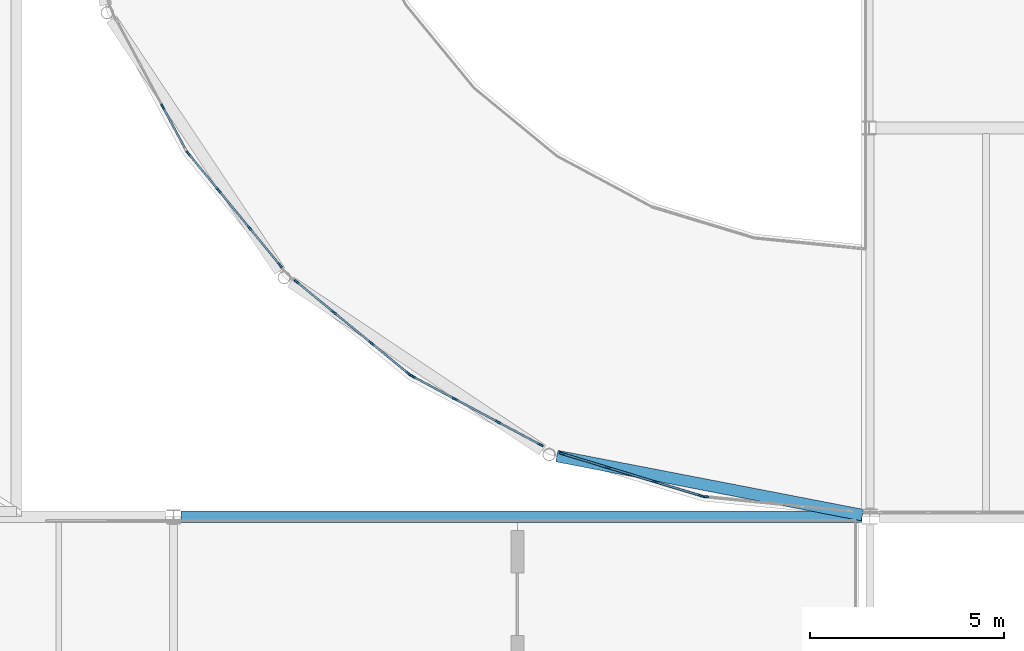
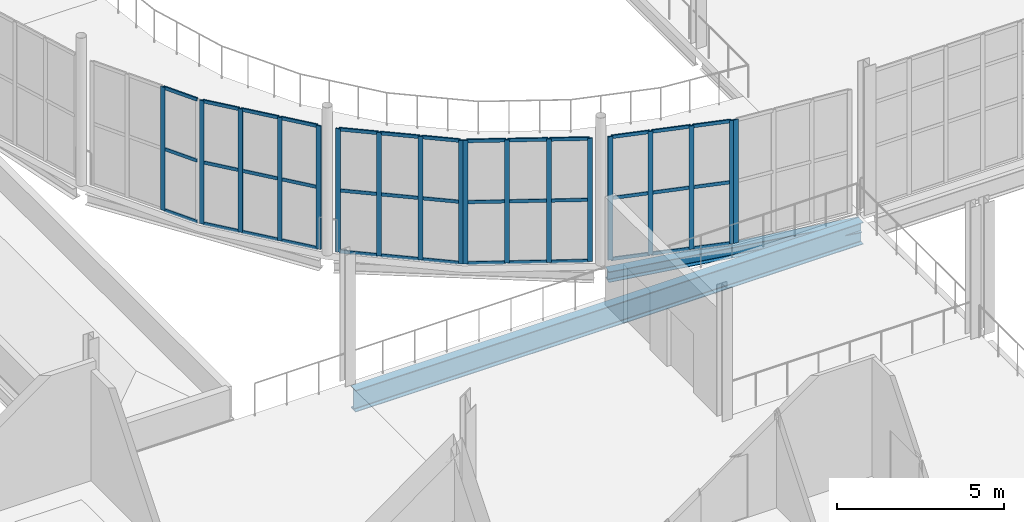
# One storey, part 25 of 112: 57 members, 2 beams, 6 elements without a shape of their own.
"""IFC4 building model written with IfcOpenShell, lengths in metres."""

from ifc_helpers import new_model, si_unit, direction, frame, origin, origin_2d, place, context, subcontext, project, spatial, rectangle, i_section, extrude, material, layer, layer_set, material_profile, profile_set, type_object, element, aggregate, save


model = new_model("IFC4")

# Units and contexts
model_context = context("Model", 3, precision=1e-05, world=origin(), true_north=direction((0.0, 1.0)))
body_context = subcontext(model_context, "Body", "Model", "MODEL_VIEW")
ifc_project = project(units=[si_unit("LENGTHUNIT", "METRE"), si_unit("AREAUNIT", "SQUARE_METRE"), si_unit("VOLUMEUNIT", "CUBIC_METRE"), si_unit("PLANEANGLEUNIT", "RADIAN"), si_unit("MASSUNIT", "GRAM", prefix="KILO")], contexts=[model_context])

# Site, building, storey
site_placement = place(None, origin())
site = spatial("IfcSite", under=ifc_project, at=site_placement, CompositionType="ELEMENT")
building_placement = place(site_placement, origin())
building = spatial("IfcBuilding", under=site, at=building_placement, Name="Yeouljin Market Hall", CompositionType="ELEMENT")
storey_placement = place(building_placement, frame((0.0, 0.0, 6.0)))
storey = spatial("IfcBuildingStorey", under=building, at=storey_placement, Name="L01", CompositionType="ELEMENT", Elevation=6.0)

# Beam
ifc_material_1 = material(Name="Steel SM355", Category="steel")
ifc_material_profile_1 = material_profile(ifc_material_1, i_section(OverallWidth=0.300048828125, OverallDepth=0.389892578125, WebThickness=0.010009765625, FlangeThickness=0.01611328125, FilletRadius=0.01806640625, at=origin_2d()), Name="H-390x300x10x16")
ifc_profile_set_1 = profile_set([ifc_material_profile_1], Name="Steel SM355")
beam_type_1 = type_object("IfcBeamType", Name="Beam_H-390x300x10x16", PredefinedType="BEAM", material=ifc_profile_set_1)
beam_1_placement = place(storey_placement, frame((35.419189453125, 36.042724609375, -0.465087890625), z_axis=(-0.981854876369, 0.189633862352, 0.0), x_axis=(-0.189633862352, -0.981854876369, 0.0)))
element("IfcBeam", 1, at=beam_1_placement, inside=storey, type_object=beam_type_1, Name="Apse ring beam L01 242", PredefinedType="BEAM", context=body_context, shape_type="SweptSolid", body=[
    extrude(i_section(OverallWidth=0.300048828125, OverallDepth=0.389892578125, WebThickness=0.010009765625, FlangeThickness=0.01611328125, FilletRadius=0.01806640625, at=origin_2d()), origin(), (0.0, 0.0, 1.0), 8.00146484375),
])

# Curtain wall, member
ifc_material_2 = material(Name="Thermally Broken Aluminium", Category="aluminium")
ifc_layer = layer(ifc_material_2, 0.179931640625)
ifc_layer_set = layer_set([ifc_layer], Name="Thermally Broken Aluminium")
curtain_wall_type = type_object("IfcCurtainWallType", Name="CW_ApseCurved_System", PredefinedType="USERDEFINED", material=ifc_layer_set)
curtain_wall_1_placement = place(storey_placement, origin())
curtain_wall_1 = element("IfcCurtainWall", 2, at=curtain_wall_1_placement, inside=storey, type_object=curtain_wall_type, Name="Curtain wall CW-AP-WL01-01", ObjectType="CURTAIN WALL", PredefinedType="USERDEFINED")
ifc_material_3 = material(Name="Thermally Broken Aluminium", Category="aluminium")
ifc_material_profile_2 = material_profile(ifc_material_3, rectangle(XDim=0.048095703125, YDim=0.14990234375, at=origin_2d()), Name="CW-MULL-48x150")
ifc_profile_set_2 = profile_set([ifc_material_profile_2], Name="Thermally Broken Aluminium")
member_type_1 = type_object("IfcMemberType", Name="CWMullion_48x150", PredefinedType="MULLION", material=ifc_profile_set_2)
member_1_placement = place(storey_placement, frame((31.39013671875, 36.514892578125, 0.0), z_axis=(0.0, 0.0, 1.0), x_axis=(-0.09803414403, -0.995183051807, 0.0)))
member_1 = element("IfcMember", 3, at=member_1_placement, type_object=member_type_1, Name="CW-03 mullion 4", PredefinedType="MULLION", context=body_context, shape_type="SweptSolid", body=[
    extrude(rectangle(XDim=0.048095703125, YDim=0.14990234375, at=origin_2d()), origin(), (0.0, 0.0, 1.0), 4.5),
])
aggregate(curtain_wall_1, [member_1])

# Curtain wall, members
curtain_wall_2_placement = place(storey_placement, origin())
curtain_wall_2 = element("IfcCurtainWall", 4, at=curtain_wall_2_placement, inside=storey, type_object=curtain_wall_type, Name="Curtain wall CW-AP-WL01-02", ObjectType="CURTAIN WALL", PredefinedType="USERDEFINED")
member_2_placement = place(storey_placement, frame((31.26513671875, 36.539794921875, 0.0), z_axis=(0.0, 0.0, 1.0), x_axis=(-0.290286164863, -0.95693988447, 0.0)))
member_2 = element("IfcMember", 5, at=member_2_placement, type_object=member_type_1, Name="CW-03 mullion 1", PredefinedType="MULLION", context=body_context, shape_type="SweptSolid", body=[
    extrude(rectangle(XDim=0.048095703125, YDim=0.14990234375, at=origin_2d()), origin(), (0.0, 0.0, 1.0), 4.5),
])
member_3_placement = place(storey_placement, frame((30.084716796875, 36.89794921875, 0.0), z_axis=(0.0, 0.0, 1.0), x_axis=(-0.290286164863, -0.95693988447, 0.0)))
member_3 = element("IfcMember", 6, at=member_3_placement, type_object=member_type_1, Name="CW-03 mullion 2", PredefinedType="MULLION", context=body_context, shape_type="SweptSolid", body=[
    extrude(rectangle(XDim=0.048095703125, YDim=0.14990234375, at=origin_2d()), origin(), (0.0, 0.0, 1.0), 4.5),
])
member_4_placement = place(storey_placement, frame((28.881103515625, 37.262939453125, 0.0), z_axis=(0.0, 0.0, 1.0), x_axis=(-0.290286164863, -0.95693988447, 0.0)))
member_4 = element("IfcMember", 7, at=member_4_placement, type_object=member_type_1, Name="CW-03 mullion 3", PredefinedType="MULLION", context=body_context, shape_type="SweptSolid", body=[
    extrude(rectangle(XDim=0.048095703125, YDim=0.14990234375, at=origin_2d()), origin(), (0.0, 0.0, 1.0), 4.5),
])
member_5_placement = place(storey_placement, frame((27.700439453125, 37.62109375, 0.0), z_axis=(0.0, 0.0, 1.0), x_axis=(-0.290286164863, -0.95693988447, 0.0)))
member_5 = element("IfcMember", 8, at=member_5_placement, type_object=member_type_1, Name="CW-03 mullion 4", PredefinedType="MULLION", context=body_context, shape_type="SweptSolid", body=[
    extrude(rectangle(XDim=0.048095703125, YDim=0.14990234375, at=origin_2d()), origin(), (0.0, 0.0, 1.0), 4.5),
])

curtain_wall_3_placement = place(storey_placement, origin())
curtain_wall_3 = element("IfcCurtainWall", 9, at=curtain_wall_3_placement, inside=storey, type_object=curtain_wall_type, Name="Curtain wall CW-AP-WL01-03", ObjectType="CURTAIN WALL", PredefinedType="USERDEFINED")
member_6_placement = place(storey_placement, frame((27.1416015625, 37.852783203125, 0.0), z_axis=(0.0, 0.0, 1.0), x_axis=(-0.471377626598, -0.881931478712, 0.0)))
member_6 = element("IfcMember", 10, at=member_6_placement, type_object=member_type_1, Name="CW-03 mullion 1", PredefinedType="MULLION", context=body_context, shape_type="SweptSolid", body=[
    extrude(rectangle(XDim=0.048095703125, YDim=0.14990234375, at=origin_2d()), origin(), (0.0, 0.0, 1.0), 4.5),
])
member_7_placement = place(storey_placement, frame((26.053466796875, 38.434326171875, 0.0), z_axis=(0.0, 0.0, 1.0), x_axis=(-0.471377626598, -0.881931478712, 0.0)))
member_7 = element("IfcMember", 11, at=member_7_placement, type_object=member_type_1, Name="CW-03 mullion 2", PredefinedType="MULLION", context=body_context, shape_type="SweptSolid", body=[
    extrude(rectangle(XDim=0.048095703125, YDim=0.14990234375, at=origin_2d()), origin(), (0.0, 0.0, 1.0), 4.5),
])
member_8_placement = place(storey_placement, frame((24.9443359375, 39.027099609375, 0.0), z_axis=(0.0, 0.0, 1.0), x_axis=(-0.471377626598, -0.881931478712, 0.0)))
member_8 = element("IfcMember", 12, at=member_8_placement, type_object=member_type_1, Name="CW-03 mullion 3", PredefinedType="MULLION", context=body_context, shape_type="SweptSolid", body=[
    extrude(rectangle(XDim=0.048095703125, YDim=0.14990234375, at=origin_2d()), origin(), (0.0, 0.0, 1.0), 4.5),
])
member_9_placement = place(storey_placement, frame((23.856201171875, 39.608642578125, 0.0), z_axis=(0.0, 0.0, 1.0), x_axis=(-0.471377626598, -0.881931478712, 0.0)))
member_9 = element("IfcMember", 13, at=member_9_placement, type_object=member_type_1, Name="CW-03 mullion 4", PredefinedType="MULLION", context=body_context, shape_type="SweptSolid", body=[
    extrude(rectangle(XDim=0.048095703125, YDim=0.14990234375, at=origin_2d()), origin(), (0.0, 0.0, 1.0), 4.5),
])

curtain_wall_4_placement = place(storey_placement, origin())
curtain_wall_4 = element("IfcCurtainWall", 14, at=curtain_wall_4_placement, inside=storey, type_object=curtain_wall_type, Name="Curtain wall CW-AP-WL01-04", ObjectType="CURTAIN WALL", PredefinedType="USERDEFINED")
member_10_placement = place(storey_placement, frame((23.750244140625, 39.679443359375, 0.0), z_axis=(0.0, 0.0, 1.0), x_axis=(-0.634384432096, -0.773017717982, 0.0)))
member_10 = element("IfcMember", 15, at=member_10_placement, type_object=member_type_1, Name="CW-03 mullion 1", PredefinedType="MULLION", context=body_context, shape_type="SweptSolid", body=[
    extrude(rectangle(XDim=0.048095703125, YDim=0.14990234375, at=origin_2d()), origin(), (0.0, 0.0, 1.0), 4.5),
])
member_11_placement = place(storey_placement, frame((22.796630859375, 40.462158203125, 0.0), z_axis=(0.0, 0.0, 1.0), x_axis=(-0.634384432096, -0.773017717982, 0.0)))
member_11 = element("IfcMember", 16, at=member_11_placement, type_object=member_type_1, Name="CW-03 mullion 2", PredefinedType="MULLION", context=body_context, shape_type="SweptSolid", body=[
    extrude(rectangle(XDim=0.048095703125, YDim=0.14990234375, at=origin_2d()), origin(), (0.0, 0.0, 1.0), 4.5),
])
member_12_placement = place(storey_placement, frame((21.82421875, 41.260009765625, 0.0), z_axis=(0.0, 0.0, 1.0), x_axis=(-0.634384432096, -0.773017717982, 0.0)))
member_12 = element("IfcMember", 17, at=member_12_placement, type_object=member_type_1, Name="CW-03 mullion 3", PredefinedType="MULLION", context=body_context, shape_type="SweptSolid", body=[
    extrude(rectangle(XDim=0.048095703125, YDim=0.14990234375, at=origin_2d()), origin(), (0.0, 0.0, 1.0), 4.5),
])
member_13_placement = place(storey_placement, frame((20.87060546875, 42.042724609375, 0.0), z_axis=(0.0, 0.0, 1.0), x_axis=(-0.634384432096, -0.773017717982, 0.0)))
member_13 = element("IfcMember", 18, at=member_13_placement, type_object=member_type_1, Name="CW-03 mullion 4", PredefinedType="MULLION", context=body_context, shape_type="SweptSolid", body=[
    extrude(rectangle(XDim=0.048095703125, YDim=0.14990234375, at=origin_2d()), origin(), (0.0, 0.0, 1.0), 4.5),
])

curtain_wall_5_placement = place(storey_placement, origin())
curtain_wall_5 = element("IfcCurtainWall", 19, at=curtain_wall_5_placement, inside=storey, type_object=curtain_wall_type, Name="Curtain wall CW-AP-WL01-05", ObjectType="CURTAIN WALL", PredefinedType="USERDEFINED")
member_14_placement = place(storey_placement, frame((20.44287109375, 42.470458984375, 0.0), z_axis=(0.0, 0.0, 1.0), x_axis=(-0.773017717982, -0.634384432096, 0.0)))
member_14 = element("IfcMember", 20, at=member_14_placement, type_object=member_type_1, Name="CW-03 mullion 1", PredefinedType="MULLION", context=body_context, shape_type="SweptSolid", body=[
    extrude(rectangle(XDim=0.048095703125, YDim=0.14990234375, at=origin_2d()), origin(), (0.0, 0.0, 1.0), 4.5),
])
member_15_placement = place(storey_placement, frame((19.66015625, 43.42431640625, 0.0), z_axis=(0.0, 0.0, 1.0), x_axis=(-0.773017717982, -0.634384432096, 0.0)))
member_15 = element("IfcMember", 21, at=member_15_placement, type_object=member_type_1, Name="CW-03 mullion 2", PredefinedType="MULLION", context=body_context, shape_type="SweptSolid", body=[
    extrude(rectangle(XDim=0.048095703125, YDim=0.14990234375, at=origin_2d()), origin(), (0.0, 0.0, 1.0), 4.5),
])
member_16_placement = place(storey_placement, frame((18.8623046875, 44.396484375, 0.0), z_axis=(0.0, 0.0, 1.0), x_axis=(-0.773017717982, -0.634384432096, 0.0)))
member_16 = element("IfcMember", 22, at=member_16_placement, type_object=member_type_1, Name="CW-03 mullion 3", PredefinedType="MULLION", context=body_context, shape_type="SweptSolid", body=[
    extrude(rectangle(XDim=0.048095703125, YDim=0.14990234375, at=origin_2d()), origin(), (0.0, 0.0, 1.0), 4.5),
])
member_17_placement = place(storey_placement, frame((18.07958984375, 45.350341796875, 0.0), z_axis=(0.0, 0.0, 1.0), x_axis=(-0.773017717982, -0.634384432096, 0.0)))
member_17 = element("IfcMember", 23, at=member_17_placement, type_object=member_type_1, Name="CW-03 mullion 4", PredefinedType="MULLION", context=body_context, shape_type="SweptSolid", body=[
    extrude(rectangle(XDim=0.048095703125, YDim=0.14990234375, at=origin_2d()), origin(), (0.0, 0.0, 1.0), 4.5),
])

# Curtain wall, member
curtain_wall_6_placement = place(storey_placement, origin())
curtain_wall_6 = element("IfcCurtainWall", 24, at=curtain_wall_6_placement, inside=storey, type_object=curtain_wall_type, Name="Curtain wall CW-AP-WL01-06", ObjectType="CURTAIN WALL", PredefinedType="USERDEFINED")
member_18_placement = place(storey_placement, frame((17.42724609375, 46.544189453125, 0.0), z_axis=(0.0, 0.0, 1.0), x_axis=(-0.881931478712, -0.471377626598, 0.0)))
member_18 = element("IfcMember", 25, at=member_18_placement, type_object=member_type_1, Name="CW-03 mullion 2", PredefinedType="MULLION", context=body_context, shape_type="SweptSolid", body=[
    extrude(rectangle(XDim=0.048095703125, YDim=0.14990234375, at=origin_2d()), origin(), (0.0, 0.0, 1.0), 4.5),
])

# Member
ifc_material_4 = material(Name="Thermally Broken Aluminium", Category="aluminium")
ifc_material_profile_3 = material_profile(ifc_material_4, rectangle(XDim=0.048095703125, YDim=0.1201171875, at=origin_2d()), Name="CW-TRAN-48x120")
ifc_profile_set_3 = profile_set([ifc_material_profile_3], Name="Thermally Broken Aluminium")
member_type_2 = type_object("IfcMemberType", Name="CWTransom_48x120", PredefinedType="USERDEFINED", material=ifc_profile_set_3)
member_19_placement = place(storey_placement, frame((31.2421875, 36.546630859375, 0.02392578125), z_axis=(-0.95692042936, 0.290350291671, 0.0), x_axis=(-0.290350291671, -0.95692042936, 0.0)))
member_19 = element("IfcMember", 26, at=member_19_placement, type_object=member_type_2, Name="CW-03 transom 1.1", ObjectType="TRANSOM", PredefinedType="USERDEFINED", context=body_context, shape_type="SweptSolid", body=[
    extrude(rectangle(XDim=0.048095703125, YDim=0.1201171875, at=origin_2d()), origin(), (0.0, 0.0, 1.0), 1.185546875),
])

member_20_placement = place(storey_placement, frame((31.2421875, 36.546630859375, 2.25), z_axis=(-0.95692042936, 0.290350291671, 0.0), x_axis=(-0.290350291671, -0.95692042936, 0.0)))
member_20 = element("IfcMember", 27, at=member_20_placement, type_object=member_type_2, Name="CW-03 transom 1.2", ObjectType="TRANSOM", PredefinedType="USERDEFINED", context=body_context, shape_type="SweptSolid", body=[
    extrude(rectangle(XDim=0.048095703125, YDim=0.1201171875, at=origin_2d()), origin(), (0.0, 0.0, 1.0), 1.185546875),
])

member_21_placement = place(storey_placement, frame((31.2421875, 36.546630859375, 4.47607421875), z_axis=(-0.95692042936, 0.290350291671, 0.0), x_axis=(-0.290350291671, -0.95692042936, 0.0)))
member_21 = element("IfcMember", 28, at=member_21_placement, type_object=member_type_2, Name="CW-03 transom 1.3", ObjectType="TRANSOM", PredefinedType="USERDEFINED", context=body_context, shape_type="SweptSolid", body=[
    extrude(rectangle(XDim=0.048095703125, YDim=0.1201171875, at=origin_2d()), origin(), (0.0, 0.0, 1.0), 1.185546875),
])

member_22_placement = place(storey_placement, frame((30.061767578125, 36.90478515625, 0.02392578125), z_axis=(-0.95691061979, 0.290382619544, 0.0), x_axis=(-0.290382619544, -0.95691061979, 0.0)))
member_22 = element("IfcMember", 29, at=member_22_placement, type_object=member_type_2, Name="CW-03 transom 2.1", ObjectType="TRANSOM", PredefinedType="USERDEFINED", context=body_context, shape_type="SweptSolid", body=[
    extrude(rectangle(XDim=0.048095703125, YDim=0.1201171875, at=origin_2d()), origin(), (0.0, 0.0, 1.0), 1.2099609375),
])

member_23_placement = place(storey_placement, frame((30.061767578125, 36.90478515625, 2.25), z_axis=(-0.95691061979, 0.290382619544, 0.0), x_axis=(-0.290382619544, -0.95691061979, 0.0)))
member_23 = element("IfcMember", 30, at=member_23_placement, type_object=member_type_2, Name="CW-03 transom 2.2", ObjectType="TRANSOM", PredefinedType="USERDEFINED", context=body_context, shape_type="SweptSolid", body=[
    extrude(rectangle(XDim=0.048095703125, YDim=0.1201171875, at=origin_2d()), origin(), (0.0, 0.0, 1.0), 1.2099609375),
])

member_24_placement = place(storey_placement, frame((30.061767578125, 36.90478515625, 4.47607421875), z_axis=(-0.95691061979, 0.290382619544, 0.0), x_axis=(-0.290382619544, -0.95691061979, 0.0)))
member_24 = element("IfcMember", 31, at=member_24_placement, type_object=member_type_2, Name="CW-03 transom 2.3", ObjectType="TRANSOM", PredefinedType="USERDEFINED", context=body_context, shape_type="SweptSolid", body=[
    extrude(rectangle(XDim=0.048095703125, YDim=0.1201171875, at=origin_2d()), origin(), (0.0, 0.0, 1.0), 1.2099609375),
])

member_25_placement = place(storey_placement, frame((28.858154296875, 37.27001953125, 0.02392578125), z_axis=(-0.956937784149, 0.290293088565, 0.0), x_axis=(-0.290293088565, -0.956937784149, 0.0)))
member_25 = element("IfcMember", 32, at=member_25_placement, type_object=member_type_2, Name="CW-03 transom 3.1", ObjectType="TRANSOM", PredefinedType="USERDEFINED", context=body_context, shape_type="SweptSolid", body=[
    extrude(rectangle(XDim=0.048095703125, YDim=0.1201171875, at=origin_2d()), origin(), (0.0, 0.0, 1.0), 1.185791015625),
])

member_26_placement = place(storey_placement, frame((28.858154296875, 37.27001953125, 2.25), z_axis=(-0.956937784149, 0.290293088565, 0.0), x_axis=(-0.290293088565, -0.956937784149, 0.0)))
member_26 = element("IfcMember", 33, at=member_26_placement, type_object=member_type_2, Name="CW-03 transom 3.2", ObjectType="TRANSOM", PredefinedType="USERDEFINED", context=body_context, shape_type="SweptSolid", body=[
    extrude(rectangle(XDim=0.048095703125, YDim=0.1201171875, at=origin_2d()), origin(), (0.0, 0.0, 1.0), 1.185791015625),
])

member_27_placement = place(storey_placement, frame((28.858154296875, 37.27001953125, 4.47607421875), z_axis=(-0.956937784149, 0.290293088565, 0.0), x_axis=(-0.290293088565, -0.956937784149, 0.0)))
member_27 = element("IfcMember", 34, at=member_27_placement, type_object=member_type_2, Name="CW-03 transom 3.3", ObjectType="TRANSOM", PredefinedType="USERDEFINED", context=body_context, shape_type="SweptSolid", body=[
    extrude(rectangle(XDim=0.048095703125, YDim=0.1201171875, at=origin_2d()), origin(), (0.0, 0.0, 1.0), 1.185791015625),
])

aggregate(curtain_wall_2, [member_2, member_3, member_4, member_5, member_19, member_20, member_21, member_22, member_23, member_24, member_25, member_26, member_27])

member_28_placement = place(storey_placement, frame((27.120361328125, 37.864013671875, 0.02392578125), z_axis=(-0.881947903555, 0.471346894989, 0.0), x_axis=(-0.471346894989, -0.881947903555, 0.0)))
member_28 = element("IfcMember", 35, at=member_28_placement, type_object=member_type_2, Name="CW-03 transom 1.1", ObjectType="TRANSOM", PredefinedType="USERDEFINED", context=body_context, shape_type="SweptSolid", body=[
    extrude(rectangle(XDim=0.048095703125, YDim=0.1201171875, at=origin_2d()), origin(), (0.0, 0.0, 1.0), 1.185546875),
])

member_29_placement = place(storey_placement, frame((27.120361328125, 37.864013671875, 2.25), z_axis=(-0.881947903555, 0.471346894989, 0.0), x_axis=(-0.471346894989, -0.881947903555, 0.0)))
member_29 = element("IfcMember", 36, at=member_29_placement, type_object=member_type_2, Name="CW-03 transom 1.2", ObjectType="TRANSOM", PredefinedType="USERDEFINED", context=body_context, shape_type="SweptSolid", body=[
    extrude(rectangle(XDim=0.048095703125, YDim=0.1201171875, at=origin_2d()), origin(), (0.0, 0.0, 1.0), 1.185546875),
])

member_30_placement = place(storey_placement, frame((27.120361328125, 37.864013671875, 4.47607421875), z_axis=(-0.881947903555, 0.471346894989, 0.0), x_axis=(-0.471346894989, -0.881947903555, 0.0)))
member_30 = element("IfcMember", 37, at=member_30_placement, type_object=member_type_2, Name="CW-03 transom 1.3", ObjectType="TRANSOM", PredefinedType="USERDEFINED", context=body_context, shape_type="SweptSolid", body=[
    extrude(rectangle(XDim=0.048095703125, YDim=0.1201171875, at=origin_2d()), origin(), (0.0, 0.0, 1.0), 1.185546875),
])

member_31_placement = place(storey_placement, frame((26.0322265625, 38.445556640625, 0.02392578125), z_axis=(-0.881905630458, 0.471425984611, 0.0), x_axis=(-0.471425984611, -0.881905630458, 0.0)))
member_31 = element("IfcMember", 38, at=member_31_placement, type_object=member_type_2, Name="CW-03 transom 2.1", ObjectType="TRANSOM", PredefinedType="USERDEFINED", context=body_context, shape_type="SweptSolid", body=[
    extrude(rectangle(XDim=0.048095703125, YDim=0.1201171875, at=origin_2d()), origin(), (0.0, 0.0, 1.0), 1.209716796875),
])

member_32_placement = place(storey_placement, frame((26.0322265625, 38.445556640625, 2.25), z_axis=(-0.881905630458, 0.471425984611, 0.0), x_axis=(-0.471425984611, -0.881905630458, 0.0)))
member_32 = element("IfcMember", 39, at=member_32_placement, type_object=member_type_2, Name="CW-03 transom 2.2", ObjectType="TRANSOM", PredefinedType="USERDEFINED", context=body_context, shape_type="SweptSolid", body=[
    extrude(rectangle(XDim=0.048095703125, YDim=0.1201171875, at=origin_2d()), origin(), (0.0, 0.0, 1.0), 1.209716796875),
])

member_33_placement = place(storey_placement, frame((26.0322265625, 38.445556640625, 4.47607421875), z_axis=(-0.881905630458, 0.471425984611, 0.0), x_axis=(-0.471425984611, -0.881905630458, 0.0)))
member_33 = element("IfcMember", 40, at=member_33_placement, type_object=member_type_2, Name="CW-03 transom 2.3", ObjectType="TRANSOM", PredefinedType="USERDEFINED", context=body_context, shape_type="SweptSolid", body=[
    extrude(rectangle(XDim=0.048095703125, YDim=0.1201171875, at=origin_2d()), origin(), (0.0, 0.0, 1.0), 1.209716796875),
])

member_34_placement = place(storey_placement, frame((24.923095703125, 39.038330078125, 0.02392578125), z_axis=(-0.881862296401, 0.471507041503, 0.0), x_axis=(-0.471507041503, -0.881862296401, 0.0)))
member_34 = element("IfcMember", 41, at=member_34_placement, type_object=member_type_2, Name="CW-03 transom 3.1", ObjectType="TRANSOM", PredefinedType="USERDEFINED", context=body_context, shape_type="SweptSolid", body=[
    extrude(rectangle(XDim=0.048095703125, YDim=0.1201171875, at=origin_2d()), origin(), (0.0, 0.0, 1.0), 1.185791015625),
])

member_35_placement = place(storey_placement, frame((24.923095703125, 39.038330078125, 2.25), z_axis=(-0.881862296401, 0.471507041503, 0.0), x_axis=(-0.471507041503, -0.881862296401, 0.0)))
member_35 = element("IfcMember", 42, at=member_35_placement, type_object=member_type_2, Name="CW-03 transom 3.2", ObjectType="TRANSOM", PredefinedType="USERDEFINED", context=body_context, shape_type="SweptSolid", body=[
    extrude(rectangle(XDim=0.048095703125, YDim=0.1201171875, at=origin_2d()), origin(), (0.0, 0.0, 1.0), 1.185791015625),
])

member_36_placement = place(storey_placement, frame((24.923095703125, 39.038330078125, 4.47607421875), z_axis=(-0.881862296401, 0.471507041503, 0.0), x_axis=(-0.471507041503, -0.881862296401, 0.0)))
member_36 = element("IfcMember", 43, at=member_36_placement, type_object=member_type_2, Name="CW-03 transom 3.3", ObjectType="TRANSOM", PredefinedType="USERDEFINED", context=body_context, shape_type="SweptSolid", body=[
    extrude(rectangle(XDim=0.048095703125, YDim=0.1201171875, at=origin_2d()), origin(), (0.0, 0.0, 1.0), 1.185791015625),
])

aggregate(curtain_wall_3, [member_6, member_7, member_8, member_9, member_28, member_29, member_30, member_31, member_32, member_33, member_34, member_35, member_36])

member_37_placement = place(storey_placement, frame((23.731689453125, 39.69482421875, 0.02392578125), z_axis=(-0.77299310317, 0.634414424845, 0.0), x_axis=(-0.634414424845, -0.77299310317, 0.0)))
member_37 = element("IfcMember", 44, at=member_37_placement, type_object=member_type_2, Name="CW-03 transom 1.1", ObjectType="TRANSOM", PredefinedType="USERDEFINED", context=body_context, shape_type="SweptSolid", body=[
    extrude(rectangle(XDim=0.048095703125, YDim=0.1201171875, at=origin_2d()), origin(), (0.0, 0.0, 1.0), 1.185546875),
])

member_38_placement = place(storey_placement, frame((23.731689453125, 39.69482421875, 2.25), z_axis=(-0.77299310317, 0.634414424845, 0.0), x_axis=(-0.634414424845, -0.77299310317, 0.0)))
member_38 = element("IfcMember", 45, at=member_38_placement, type_object=member_type_2, Name="CW-03 transom 1.2", ObjectType="TRANSOM", PredefinedType="USERDEFINED", context=body_context, shape_type="SweptSolid", body=[
    extrude(rectangle(XDim=0.048095703125, YDim=0.1201171875, at=origin_2d()), origin(), (0.0, 0.0, 1.0), 1.185546875),
])

member_39_placement = place(storey_placement, frame((23.731689453125, 39.69482421875, 4.47607421875), z_axis=(-0.77299310317, 0.634414424845, 0.0), x_axis=(-0.634414424845, -0.77299310317, 0.0)))
member_39 = element("IfcMember", 46, at=member_39_placement, type_object=member_type_2, Name="CW-03 transom 1.3", ObjectType="TRANSOM", PredefinedType="USERDEFINED", context=body_context, shape_type="SweptSolid", body=[
    extrude(rectangle(XDim=0.048095703125, YDim=0.1201171875, at=origin_2d()), origin(), (0.0, 0.0, 1.0), 1.185546875),
])

member_40_placement = place(storey_placement, frame((22.778076171875, 40.4775390625, 0.02392578125), z_axis=(-0.773111430371, 0.634270223351, 0.0), x_axis=(-0.634270223351, -0.773111430371, 0.0)))
member_40 = element("IfcMember", 47, at=member_40_placement, type_object=member_type_2, Name="CW-03 transom 2.1", ObjectType="TRANSOM", PredefinedType="USERDEFINED", context=body_context, shape_type="SweptSolid", body=[
    extrude(rectangle(XDim=0.048095703125, YDim=0.1201171875, at=origin_2d()), origin(), (0.0, 0.0, 1.0), 1.209716796875),
])

member_41_placement = place(storey_placement, frame((22.778076171875, 40.4775390625, 2.25), z_axis=(-0.773111430371, 0.634270223351, 0.0), x_axis=(-0.634270223351, -0.773111430371, 0.0)))
member_41 = element("IfcMember", 48, at=member_41_placement, type_object=member_type_2, Name="CW-03 transom 2.2", ObjectType="TRANSOM", PredefinedType="USERDEFINED", context=body_context, shape_type="SweptSolid", body=[
    extrude(rectangle(XDim=0.048095703125, YDim=0.1201171875, at=origin_2d()), origin(), (0.0, 0.0, 1.0), 1.209716796875),
])

member_42_placement = place(storey_placement, frame((22.778076171875, 40.4775390625, 4.47607421875), z_axis=(-0.773111430371, 0.634270223351, 0.0), x_axis=(-0.634270223351, -0.773111430371, 0.0)))
member_42 = element("IfcMember", 49, at=member_42_placement, type_object=member_type_2, Name="CW-03 transom 2.3", ObjectType="TRANSOM", PredefinedType="USERDEFINED", context=body_context, shape_type="SweptSolid", body=[
    extrude(rectangle(XDim=0.048095703125, YDim=0.1201171875, at=origin_2d()), origin(), (0.0, 0.0, 1.0), 1.209716796875),
])

member_43_placement = place(storey_placement, frame((21.8056640625, 41.275390625, 0.02392578125), z_axis=(-0.77299310317, 0.634414424845, 0.0), x_axis=(-0.634414424845, -0.77299310317, 0.0)))
member_43 = element("IfcMember", 50, at=member_43_placement, type_object=member_type_2, Name="CW-03 transom 3.1", ObjectType="TRANSOM", PredefinedType="USERDEFINED", context=body_context, shape_type="SweptSolid", body=[
    extrude(rectangle(XDim=0.048095703125, YDim=0.1201171875, at=origin_2d()), origin(), (0.0, 0.0, 1.0), 1.185546875),
])

member_44_placement = place(storey_placement, frame((21.8056640625, 41.275390625, 2.25), z_axis=(-0.77299310317, 0.634414424845, 0.0), x_axis=(-0.634414424845, -0.77299310317, 0.0)))
member_44 = element("IfcMember", 51, at=member_44_placement, type_object=member_type_2, Name="CW-03 transom 3.2", ObjectType="TRANSOM", PredefinedType="USERDEFINED", context=body_context, shape_type="SweptSolid", body=[
    extrude(rectangle(XDim=0.048095703125, YDim=0.1201171875, at=origin_2d()), origin(), (0.0, 0.0, 1.0), 1.185546875),
])

member_45_placement = place(storey_placement, frame((21.8056640625, 41.275390625, 4.47607421875), z_axis=(-0.77299310317, 0.634414424845, 0.0), x_axis=(-0.634414424845, -0.77299310317, 0.0)))
member_45 = element("IfcMember", 52, at=member_45_placement, type_object=member_type_2, Name="CW-03 transom 3.3", ObjectType="TRANSOM", PredefinedType="USERDEFINED", context=body_context, shape_type="SweptSolid", body=[
    extrude(rectangle(XDim=0.048095703125, YDim=0.1201171875, at=origin_2d()), origin(), (0.0, 0.0, 1.0), 1.185546875),
])

aggregate(curtain_wall_4, [member_10, member_11, member_12, member_13, member_37, member_38, member_39, member_40, member_41, member_42, member_43, member_44, member_45])

member_46_placement = place(storey_placement, frame((20.427490234375, 42.489013671875, 0.02392578125), z_axis=(-0.634313456748, 0.773075959133, 0.0), x_axis=(-0.773075959133, -0.634313456748, 0.0)))
member_46 = element("IfcMember", 53, at=member_46_placement, type_object=member_type_2, Name="CW-03 transom 1.1", ObjectType="TRANSOM", PredefinedType="USERDEFINED", context=body_context, shape_type="SweptSolid", body=[
    extrude(rectangle(XDim=0.048095703125, YDim=0.1201171875, at=origin_2d()), origin(), (0.0, 0.0, 1.0), 1.185791015625),
])

member_47_placement = place(storey_placement, frame((20.427490234375, 42.489013671875, 2.25), z_axis=(-0.634313456748, 0.773075959133, 0.0), x_axis=(-0.773075959133, -0.634313456748, 0.0)))
member_47 = element("IfcMember", 54, at=member_47_placement, type_object=member_type_2, Name="CW-03 transom 1.2", ObjectType="TRANSOM", PredefinedType="USERDEFINED", context=body_context, shape_type="SweptSolid", body=[
    extrude(rectangle(XDim=0.048095703125, YDim=0.1201171875, at=origin_2d()), origin(), (0.0, 0.0, 1.0), 1.185791015625),
])

member_48_placement = place(storey_placement, frame((20.427490234375, 42.489013671875, 4.47607421875), z_axis=(-0.634313456748, 0.773075959133, 0.0), x_axis=(-0.773075959133, -0.634313456748, 0.0)))
member_48 = element("IfcMember", 55, at=member_48_placement, type_object=member_type_2, Name="CW-03 transom 1.3", ObjectType="TRANSOM", PredefinedType="USERDEFINED", context=body_context, shape_type="SweptSolid", body=[
    extrude(rectangle(XDim=0.048095703125, YDim=0.1201171875, at=origin_2d()), origin(), (0.0, 0.0, 1.0), 1.185791015625),
])

member_49_placement = place(storey_placement, frame((19.644775390625, 43.44287109375, 0.02392578125), z_axis=(-0.634369190557, 0.773030225846, 0.0), x_axis=(-0.773030225846, -0.634369190557, 0.0)))
member_49 = element("IfcMember", 56, at=member_49_placement, type_object=member_type_2, Name="CW-03 transom 2.1", ObjectType="TRANSOM", PredefinedType="USERDEFINED", context=body_context, shape_type="SweptSolid", body=[
    extrude(rectangle(XDim=0.048095703125, YDim=0.1201171875, at=origin_2d()), origin(), (0.0, 0.0, 1.0), 1.209716796875),
])

member_50_placement = place(storey_placement, frame((19.644775390625, 43.44287109375, 2.25), z_axis=(-0.634369190557, 0.773030225846, 0.0), x_axis=(-0.773030225846, -0.634369190557, 0.0)))
member_50 = element("IfcMember", 57, at=member_50_placement, type_object=member_type_2, Name="CW-03 transom 2.2", ObjectType="TRANSOM", PredefinedType="USERDEFINED", context=body_context, shape_type="SweptSolid", body=[
    extrude(rectangle(XDim=0.048095703125, YDim=0.1201171875, at=origin_2d()), origin(), (0.0, 0.0, 1.0), 1.209716796875),
])

member_51_placement = place(storey_placement, frame((19.644775390625, 43.44287109375, 4.47607421875), z_axis=(-0.634369190557, 0.773030225846, 0.0), x_axis=(-0.773030225846, -0.634369190557, 0.0)))
member_51 = element("IfcMember", 58, at=member_51_placement, type_object=member_type_2, Name="CW-03 transom 2.3", ObjectType="TRANSOM", PredefinedType="USERDEFINED", context=body_context, shape_type="SweptSolid", body=[
    extrude(rectangle(XDim=0.048095703125, YDim=0.1201171875, at=origin_2d()), origin(), (0.0, 0.0, 1.0), 1.209716796875),
])

member_52_placement = place(storey_placement, frame((18.846923828125, 44.4150390625, 0.02392578125), z_axis=(-0.634313456748, 0.773075959133, 0.0), x_axis=(-0.773075959133, -0.634313456748, 0.0)))
member_52 = element("IfcMember", 59, at=member_52_placement, type_object=member_type_2, Name="CW-03 transom 3.1", ObjectType="TRANSOM", PredefinedType="USERDEFINED", context=body_context, shape_type="SweptSolid", body=[
    extrude(rectangle(XDim=0.048095703125, YDim=0.1201171875, at=origin_2d()), origin(), (0.0, 0.0, 1.0), 1.185791015625),
])

member_53_placement = place(storey_placement, frame((18.846923828125, 44.4150390625, 2.25), z_axis=(-0.634313456748, 0.773075959133, 0.0), x_axis=(-0.773075959133, -0.634313456748, 0.0)))
member_53 = element("IfcMember", 60, at=member_53_placement, type_object=member_type_2, Name="CW-03 transom 3.2", ObjectType="TRANSOM", PredefinedType="USERDEFINED", context=body_context, shape_type="SweptSolid", body=[
    extrude(rectangle(XDim=0.048095703125, YDim=0.1201171875, at=origin_2d()), origin(), (0.0, 0.0, 1.0), 1.185791015625),
])

member_54_placement = place(storey_placement, frame((18.846923828125, 44.4150390625, 4.47607421875), z_axis=(-0.634313456748, 0.773075959133, 0.0), x_axis=(-0.773075959133, -0.634313456748, 0.0)))
member_54 = element("IfcMember", 61, at=member_54_placement, type_object=member_type_2, Name="CW-03 transom 3.3", ObjectType="TRANSOM", PredefinedType="USERDEFINED", context=body_context, shape_type="SweptSolid", body=[
    extrude(rectangle(XDim=0.048095703125, YDim=0.1201171875, at=origin_2d()), origin(), (0.0, 0.0, 1.0), 1.185791015625),
])

aggregate(curtain_wall_5, [member_14, member_15, member_16, member_17, member_46, member_47, member_48, member_49, member_50, member_51, member_52, member_53, member_54])

member_55_placement = place(storey_placement, frame((17.997314453125, 45.477294921875, 0.02392578125), z_axis=(-0.471346894989, 0.881947903555, 0.0), x_axis=(-0.881947903555, -0.471346894989, 0.0)))
member_55 = element("IfcMember", 62, at=member_55_placement, type_object=member_type_2, Name="CW-03 transom 1.1", ObjectType="TRANSOM", PredefinedType="USERDEFINED", context=body_context, shape_type="SweptSolid", body=[
    extrude(rectangle(XDim=0.048095703125, YDim=0.1201171875, at=origin_2d()), origin(), (0.0, 0.0, 1.0), 1.185546875),
])

member_56_placement = place(storey_placement, frame((17.997314453125, 45.477294921875, 2.25), z_axis=(-0.471346894989, 0.881947903555, 0.0), x_axis=(-0.881947903555, -0.471346894989, 0.0)))
member_56 = element("IfcMember", 63, at=member_56_placement, type_object=member_type_2, Name="CW-03 transom 1.2", ObjectType="TRANSOM", PredefinedType="USERDEFINED", context=body_context, shape_type="SweptSolid", body=[
    extrude(rectangle(XDim=0.048095703125, YDim=0.1201171875, at=origin_2d()), origin(), (0.0, 0.0, 1.0), 1.185546875),
])

member_57_placement = place(storey_placement, frame((17.997314453125, 45.477294921875, 4.47607421875), z_axis=(-0.471346894989, 0.881947903555, 0.0), x_axis=(-0.881947903555, -0.471346894989, 0.0)))
member_57 = element("IfcMember", 64, at=member_57_placement, type_object=member_type_2, Name="CW-03 transom 1.3", ObjectType="TRANSOM", PredefinedType="USERDEFINED", context=body_context, shape_type="SweptSolid", body=[
    extrude(rectangle(XDim=0.048095703125, YDim=0.1201171875, at=origin_2d()), origin(), (0.0, 0.0, 1.0), 1.185546875),
])

aggregate(curtain_wall_6, [member_18, member_55, member_56, member_57])

# Beam
ifc_material_5 = material(Name="Steel SM355", Category="steel")
ifc_material_profile_4 = material_profile(ifc_material_5, i_section(OverallWidth=0.300048828125, OverallDepth=0.800048828125, WebThickness=0.013916015625, FlangeThickness=0.02587890625, FilletRadius=0.028076171875, at=origin_2d()), Name="H-800x300x14x26")
ifc_profile_set_4 = profile_set([ifc_material_profile_4], Name="Steel SM355")
beam_type_2 = type_object("IfcBeamType", Name="Girder_H-800x300x14x26", PredefinedType="USERDEFINED", material=ifc_profile_set_4)
beam_2_placement = place(storey_placement, frame((17.89990234375, 36.0, -0.6650390625), z_axis=(1.0, 0.0, 0.0), x_axis=(0.0, 1.0, 0.0)))
element("IfcBeam", 65, at=beam_2_placement, inside=storey, type_object=beam_type_2, Name="Primary girder GRD-L01-X047", ObjectType="GIRDER", PredefinedType="USERDEFINED", context=body_context, shape_type="SweptSolid", body=[
    extrude(i_section(OverallWidth=0.300048828125, OverallDepth=0.800048828125, WebThickness=0.013916015625, FlangeThickness=0.02587890625, FilletRadius=0.028076171875, at=origin_2d()), origin(), (0.0, 0.0, 1.0), 17.51513671875),
])

save(model, "model.ifc")
